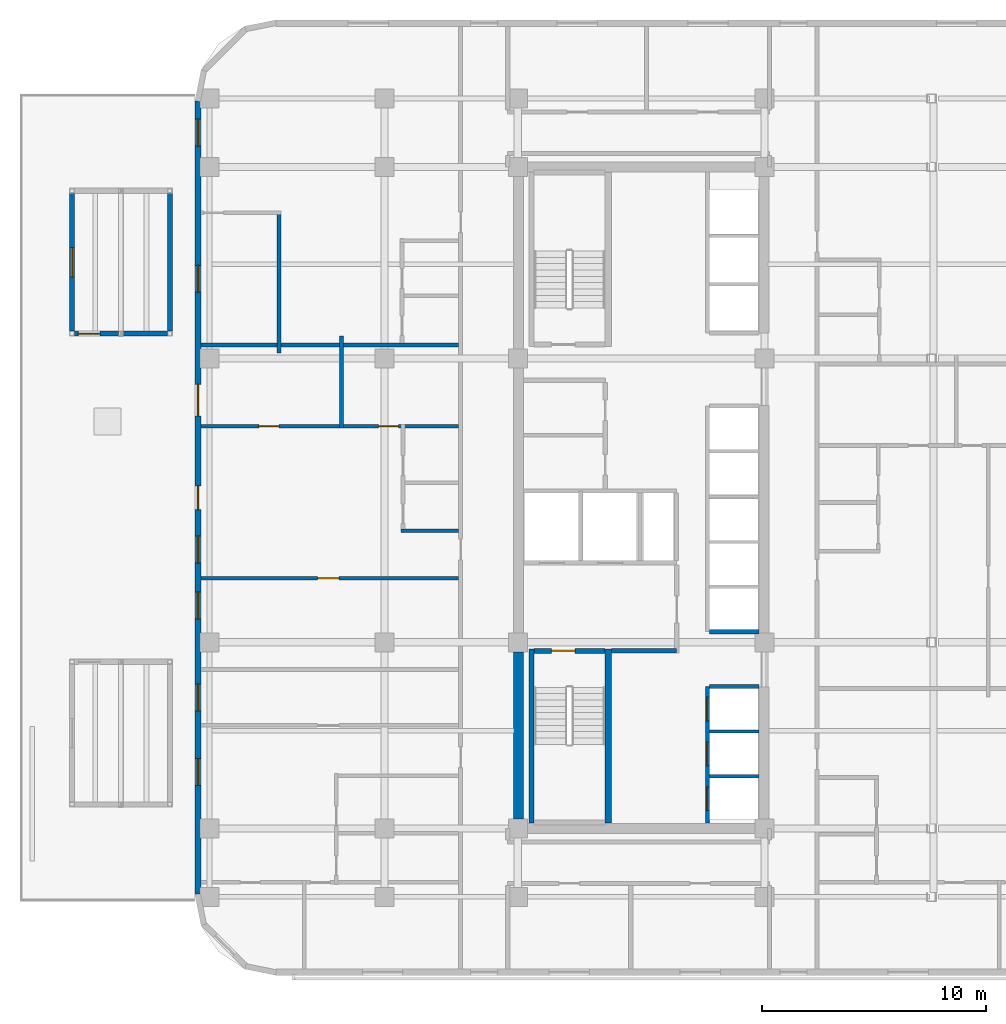
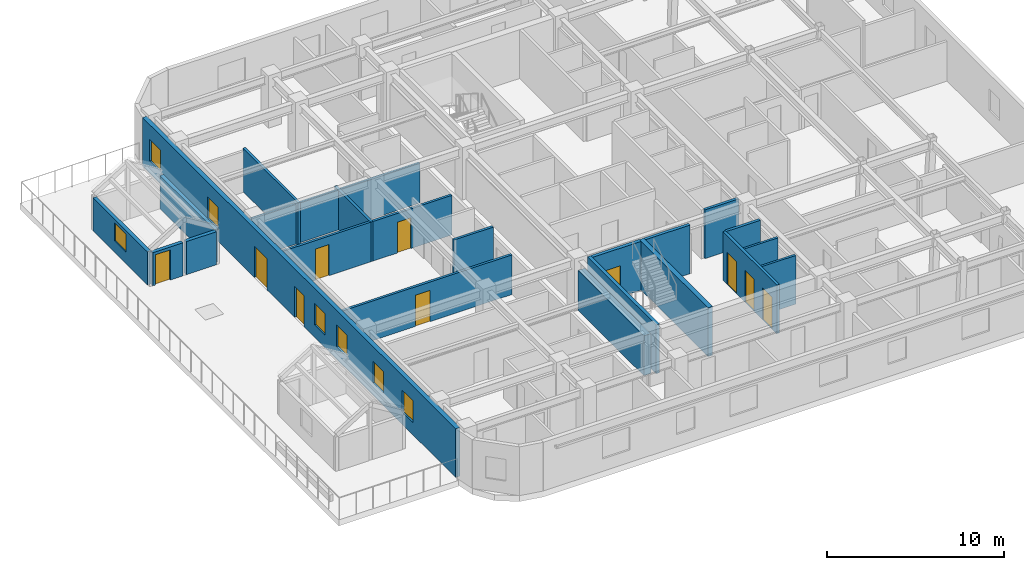
# One storey, part 11 of 19: 21 walls, 10 doors, 7 windows, 17 openings.
"""IFC4 building model written with IfcOpenShell, lengths in metres."""

from ifc_helpers import new_model, si_unit, direction, frame, frame_2d, origin, place, context, subcontext, project, spatial, rectangle, extrude, material, layer, layer_set, type_object, element, fill, save


model = new_model("IFC4")

# Units and contexts
model_context = context("Model", 3, precision=1e-05, world=origin(), true_north=direction((0.0, 1.0)))
body_context = subcontext(model_context, "Body", "Model", "MODEL_VIEW")
ifc_project = project(units=[si_unit("LENGTHUNIT", "METRE"), si_unit("AREAUNIT", "SQUARE_METRE"), si_unit("VOLUMEUNIT", "CUBIC_METRE"), si_unit("PLANEANGLEUNIT", "RADIAN"), si_unit("MASSUNIT", "GRAM", prefix="KILO")], contexts=[model_context])

# Site, building, storey
site_placement = place(None, origin())
site = spatial("IfcSite", under=ifc_project, at=site_placement, CompositionType="ELEMENT")
building_placement = place(site_placement, origin())
building = spatial("IfcBuilding", under=site, at=building_placement, Name="Ochreholt Gables", CompositionType="ELEMENT")
storey_placement = place(building_placement, frame((0.0, 0.0, 76.800048828125)))
storey = spatial("IfcBuildingStorey", under=building, at=storey_placement, Name="L19", CompositionType="ELEMENT", Elevation=76.800048828125)

# Wall
ifc_material_1 = material(Name="Concrete 60 MPa", Category="concrete")
ifc_layer_1 = layer(ifc_material_1, 0.449951171875, Name="Concrete 60 MPa")
ifc_layer_set_1 = layer_set([ifc_layer_1], Name="Concrete 60 MPa")
wall_type_1 = type_object("IfcWallType", Name="WALL-CSW-450", PredefinedType="SHEAR", material=ifc_layer_set_1)
wall_1_placement = place(storey_placement, frame((24.22509765625, 9.675048828125, 0.0), z_axis=(0.0, 0.0, 1.0), x_axis=(0.0, 1.0, 0.0)))
element("IfcWall", 1, at=wall_1_placement, inside=storey, type_object=wall_type_1, Name="L19 Core West Shear Wall WS", PredefinedType="SHEAR", context=body_context, shape_type="SweptSolid", body=[
    extrude(rectangle(XDim=7.449951171875, YDim=0.449951171875, at=frame_2d((3.72509765625, 0.0))), origin(), (0.0, 0.0, 1.0), 2.7490234375),
])

# Wall, openings, doors, windows
ifc_material_2 = material(Name="Precast concrete 40 MPa", Category="concrete")
ifc_layer_2 = layer(ifc_material_2, 0.280029296875, Name="Precast concrete 40 MPa")
ifc_layer_set_2 = layer_set([ifc_layer_2], Name="Precast concrete 40 MPa")
wall_type_2 = type_object("IfcWallType", Name="WALL-EXT-280", PredefinedType="SOLIDWALL", material=ifc_layer_set_2)
wall_2_placement = place(storey_placement, frame((9.93994140625, 41.679931640625, 0.0), z_axis=(0.0, 0.0, 1.0), x_axis=(0.0, -1.0, 0.0)))
wall_2 = element("IfcWall", 2, at=wall_2_placement, inside=storey, type_object=wall_type_2, Name="L19 West Exterior Wall", PredefinedType="SOLIDWALL", context=body_context, shape_type="SweptSolid", body=[
    extrude(rectangle(XDim=35.35986328125, YDim=0.280029296875, at=frame_2d((17.679931640625, 0.0))), origin(), (0.0, 0.0, 1.0), 3.35986328125),
])
opening_1_placement = place(wall_2_placement, frame((17.159912109375, 0.0, 0.0)))
opening_1 = element("IfcOpeningElement", 3, at=opening_1_placement, cuts=wall_2, Name="Opening D-TR1", PredefinedType="OPENING", context=body_context, shape_type="SweptSolid", body=[
    extrude(rectangle(XDim=1.050048828125, YDim=2.14990234375, at=frame_2d((0.52490234375, 1.074951171875))), frame((0.0, 0.14990234375, 0.0), z_axis=(0.0, -1.0, 0.0), x_axis=(1.0, 0.0, 0.0)), (0.0, 0.0, 1.0), 0.300048828125),
])
opening_2_placement = place(wall_2_placement, frame((12.6298828125, 0.0, 0.0)))
opening_2 = element("IfcOpeningElement", 4, at=opening_2_placement, cuts=wall_2, Name="Opening GT-3", PredefinedType="OPENING", context=body_context, shape_type="SweptSolid", body=[
    extrude(rectangle(XDim=1.39990234375, YDim=2.14990234375, at=frame_2d((0.699951171875, 1.074951171875))), frame((0.0, 0.14990234375, 0.0), z_axis=(0.0, -1.0, 0.0), x_axis=(1.0, 0.0, 0.0)), (0.0, 0.0, 1.0), 0.300048828125),
])
opening_3_placement = place(wall_2_placement, frame((29.31396484375, 0.0, 0.85009765625)))
opening_3 = element("IfcOpeningElement", 5, at=opening_3_placement, cuts=wall_2, Name="Opening WN-3", PredefinedType="OPENING", context=body_context, shape_type="SweptSolid", body=[
    extrude(rectangle(XDim=1.199951171875, YDim=1.5, at=frame_2d((0.60009765625, 0.75))), frame((0.0, 0.14990234375, 0.0), z_axis=(0.0, -1.0, 0.0), x_axis=(1.0, 0.0, 0.0)), (0.0, 0.0, 1.0), 0.300048828125),
])
opening_4_placement = place(wall_2_placement, frame((25.992919921875, 0.0, 0.85009765625)))
opening_4 = element("IfcOpeningElement", 6, at=opening_4_placement, cuts=wall_2, Name="Opening WN-3", PredefinedType="OPENING", context=body_context, shape_type="SweptSolid", body=[
    extrude(rectangle(XDim=1.199951171875, YDim=1.5, at=frame_2d((0.60009765625, 0.75))), frame((0.0, 0.14990234375, 0.0), z_axis=(0.0, -1.0, 0.0), x_axis=(1.0, 0.0, 0.0)), (0.0, 0.0, 1.0), 0.300048828125),
])
opening_5_placement = place(wall_2_placement, frame((21.881103515625, 0.0, 0.85009765625)))
opening_5 = element("IfcOpeningElement", 7, at=opening_5_placement, cuts=wall_2, Name="Opening WN-3", PredefinedType="OPENING", context=body_context, shape_type="SweptSolid", body=[
    extrude(rectangle(XDim=1.199951171875, YDim=1.5, at=frame_2d((0.60009765625, 0.75))), frame((0.0, 0.14990234375, 0.0), z_axis=(0.0, -1.0, 0.0), x_axis=(1.0, 0.0, 0.0)), (0.0, 0.0, 1.0), 0.300048828125),
])
opening_6_placement = place(wall_2_placement, frame((19.40087890625, 0.0, 0.85009765625)))
opening_6 = element("IfcOpeningElement", 8, at=opening_6_placement, cuts=wall_2, Name="Opening WN-3", PredefinedType="OPENING", context=body_context, shape_type="SweptSolid", body=[
    extrude(rectangle(XDim=1.199951171875, YDim=1.5, at=frame_2d((0.60009765625, 0.75))), frame((0.0, 0.14990234375, 0.0), z_axis=(0.0, -1.0, 0.0), x_axis=(1.0, 0.0, 0.0)), (0.0, 0.0, 1.0), 0.300048828125),
])
opening_7_placement = place(wall_2_placement, frame((7.319091796875, 0.0, 0.85009765625)))
opening_7 = element("IfcOpeningElement", 9, at=opening_7_placement, cuts=wall_2, Name="Opening WN-3", PredefinedType="OPENING", context=body_context, shape_type="SweptSolid", body=[
    extrude(rectangle(XDim=1.199951171875, YDim=1.5, at=frame_2d((0.60009765625, 0.75))), frame((0.0, 0.14990234375, 0.0), z_axis=(0.0, -1.0, 0.0), x_axis=(1.0, 0.0, 0.0)), (0.0, 0.0, 1.0), 0.300048828125),
])
opening_8_placement = place(wall_2_placement, frame((0.804931640625, 0.0, 0.85009765625)))
opening_8 = element("IfcOpeningElement", 10, at=opening_8_placement, cuts=wall_2, Name="Opening WN-3", PredefinedType="OPENING", context=body_context, shape_type="SweptSolid", body=[
    extrude(rectangle(XDim=1.199951171875, YDim=1.5, at=frame_2d((0.60009765625, 0.75))), frame((0.0, 0.14990234375, 0.0), z_axis=(0.0, -1.0, 0.0), x_axis=(1.0, 0.0, 0.0)), (0.0, 0.0, 1.0), 0.300048828125),
])
ifc_material_3 = material(Name="Thermally Broken Insulated Steel and Glass Door", Category="steel")
door_type_1 = type_object("IfcDoorType", Name="DR-EXT-TER1050", OperationType="NOTDEFINED", PredefinedType="DOOR", material=ifc_material_3)
door_1_placement = place(opening_1_placement, origin())
door_1 = element("IfcDoor", 11, at=door_1_placement, inside=storey, type_object=door_type_1, Name="L19 Outdoor Terrace Access Door TR-L19-W", OperationType="SINGLE_SWING_LEFT", OverallHeight=2.14990234375, OverallWidth=1.050048828125, PredefinedType="DOOR", context=body_context, shape_type="SweptSolid", body=[
    extrude(rectangle(XDim=1.050048828125, YDim=2.14990234375, at=frame_2d((0.52490234375, 1.074951171875))), frame((0.0, 0.02490234375, 0.0), z_axis=(0.0, -1.0, 0.0), x_axis=(1.0, 0.0, 0.0)), (0.0, 0.0, 1.0), 0.050048828125),
])
fill(opening_1, door_1)
door_type_2 = type_object("IfcDoorType", Name="GT-EXT-TER1400", OperationType="NOTDEFINED", PredefinedType="GATE", material=ifc_material_3)
door_2_placement = place(opening_2_placement, origin())
door_2 = element("IfcDoor", 12, at=door_2_placement, inside=storey, type_object=door_type_2, Name="L19 Garden Terrace Service Gate TR-L19-W", OperationType="SINGLE_SWING_LEFT", OverallHeight=2.14990234375, OverallWidth=1.39990234375, PredefinedType="GATE", context=body_context, shape_type="SweptSolid", body=[
    extrude(rectangle(XDim=1.39990234375, YDim=2.14990234375, at=frame_2d((0.699951171875, 1.074951171875))), frame((0.0, 0.02490234375, 0.0), z_axis=(0.0, -1.0, 0.0), x_axis=(1.0, 0.0, 0.0)), (0.0, 0.0, 1.0), 0.050048828125),
])
fill(opening_2, door_2)
ifc_material_4 = material(Name="Triple-Glazed Thermally Broken Aluminium Window", Category="aluminium")
window_type_1 = type_object("IfcWindowType", Name="WIN-RES-1200", PartitioningType="SINGLE_PANEL", PredefinedType="WINDOW", material=ifc_material_4)
window_1_placement = place(opening_3_placement, origin())
window_1 = element("IfcWindow", 13, at=window_1_placement, inside=storey, type_object=window_type_1, Name="L19 Window W-EXT-W-L19-1", OverallHeight=1.5, OverallWidth=1.199951171875, PartitioningType="SINGLE_PANEL", PredefinedType="WINDOW", context=body_context, shape_type="SweptSolid", body=[
    extrude(rectangle(XDim=1.199951171875, YDim=1.5, at=frame_2d((0.60009765625, 0.75))), frame((0.0, 0.030029296875, 0.0), z_axis=(0.0, -1.0, 0.0), x_axis=(1.0, 0.0, 0.0)), (0.0, 0.0, 1.0), 0.06005859375),
])
fill(opening_3, window_1)
window_2_placement = place(opening_4_placement, origin())
window_2 = element("IfcWindow", 14, at=window_2_placement, inside=storey, type_object=window_type_1, Name="L19 Window W-EXT-W-L19-2", OverallHeight=1.5, OverallWidth=1.199951171875, PartitioningType="SINGLE_PANEL", PredefinedType="WINDOW", context=body_context, shape_type="SweptSolid", body=[
    extrude(rectangle(XDim=1.199951171875, YDim=1.5, at=frame_2d((0.60009765625, 0.75))), frame((0.0, 0.030029296875, 0.0), z_axis=(0.0, -1.0, 0.0), x_axis=(1.0, 0.0, 0.0)), (0.0, 0.0, 1.0), 0.06005859375),
])
fill(opening_4, window_2)
window_3_placement = place(opening_5_placement, origin())
window_3 = element("IfcWindow", 15, at=window_3_placement, inside=storey, type_object=window_type_1, Name="L19 Window W-EXT-W-L19-3", OverallHeight=1.5, OverallWidth=1.199951171875, PartitioningType="SINGLE_PANEL", PredefinedType="WINDOW", context=body_context, shape_type="SweptSolid", body=[
    extrude(rectangle(XDim=1.199951171875, YDim=1.5, at=frame_2d((0.60009765625, 0.75))), frame((0.0, 0.030029296875, 0.0), z_axis=(0.0, -1.0, 0.0), x_axis=(1.0, 0.0, 0.0)), (0.0, 0.0, 1.0), 0.06005859375),
])
fill(opening_5, window_3)
window_4_placement = place(opening_6_placement, origin())
window_4 = element("IfcWindow", 16, at=window_4_placement, inside=storey, type_object=window_type_1, Name="L19 Window W-EXT-W-L19-4", OverallHeight=1.5, OverallWidth=1.199951171875, PartitioningType="SINGLE_PANEL", PredefinedType="WINDOW", context=body_context, shape_type="SweptSolid", body=[
    extrude(rectangle(XDim=1.199951171875, YDim=1.5, at=frame_2d((0.60009765625, 0.75))), frame((0.0, 0.030029296875, 0.0), z_axis=(0.0, -1.0, 0.0), x_axis=(1.0, 0.0, 0.0)), (0.0, 0.0, 1.0), 0.06005859375),
])
fill(opening_6, window_4)
window_5_placement = place(opening_7_placement, origin())
window_5 = element("IfcWindow", 17, at=window_5_placement, inside=storey, type_object=window_type_1, Name="L19 Window W-EXT-W-L19-5", OverallHeight=1.5, OverallWidth=1.199951171875, PartitioningType="SINGLE_PANEL", PredefinedType="WINDOW", context=body_context, shape_type="SweptSolid", body=[
    extrude(rectangle(XDim=1.199951171875, YDim=1.5, at=frame_2d((0.60009765625, 0.75))), frame((0.0, 0.030029296875, 0.0), z_axis=(0.0, -1.0, 0.0), x_axis=(1.0, 0.0, 0.0)), (0.0, 0.0, 1.0), 0.06005859375),
])
fill(opening_7, window_5)
window_6_placement = place(opening_8_placement, origin())
window_6 = element("IfcWindow", 18, at=window_6_placement, inside=storey, type_object=window_type_1, Name="L19 Window W-EXT-W-L19-6", OverallHeight=1.5, OverallWidth=1.199951171875, PartitioningType="SINGLE_PANEL", PredefinedType="WINDOW", context=body_context, shape_type="SweptSolid", body=[
    extrude(rectangle(XDim=1.199951171875, YDim=1.5, at=frame_2d((0.60009765625, 0.75))), frame((0.0, 0.030029296875, 0.0), z_axis=(0.0, -1.0, 0.0), x_axis=(1.0, 0.0, 0.0)), (0.0, 0.0, 1.0), 0.06005859375),
])
fill(opening_8, window_6)

# Wall, opening, door
ifc_layer_3 = layer(ifc_material_2, 0.22998046875, Name="Precast concrete 40 MPa")
ifc_layer_set_3 = layer_set([ifc_layer_3], Name="Precast concrete 40 MPa")
wall_type_3 = type_object("IfcWallType", Name="WALL-EXT-GAB", PredefinedType="SOLIDWALL", material=ifc_layer_set_3)
wall_3_placement = place(storey_placement, frame((4.422119140625, 31.31494140625, 0.0), z_axis=(0.0, 0.0, 1.0), x_axis=(1.0, 0.0, 0.0)))
wall_3 = element("IfcWall", 19, at=wall_3_placement, inside=storey, type_object=wall_type_3, Name="L19 Gable End Wall GB-19W2-S1", PredefinedType="SOLIDWALL", context=body_context, shape_type="SweptSolid", body=[
    extrude(rectangle(XDim=1.975830078125, YDim=0.22998046875, at=frame_2d((0.98779296875, 0.0))), origin(), (0.0, 0.0, 1.0), 2.28125),
])
opening_9_placement = place(wall_3_placement, frame((0.179931640625, 0.0, 0.0)))
opening_9 = element("IfcOpeningElement", 20, at=opening_9_placement, cuts=wall_3, Name="Opening D-GB1", PredefinedType="OPENING", context=body_context, shape_type="SweptSolid", body=[
    extrude(rectangle(XDim=0.9599609375, YDim=2.080078125, at=frame_2d((0.47998046875, 1.0400390625))), frame((0.0, 0.125, 0.0), z_axis=(0.0, -1.0, 0.0), x_axis=(1.0, 0.0, 0.0)), (0.0, 0.0, 1.0), 0.25),
])
door_type_3 = type_object("IfcDoorType", Name="DR-EXT-GAB960", OperationType="NOTDEFINED", PredefinedType="DOOR", material=ifc_material_3)
door_3_placement = place(opening_9_placement, origin())
door_3 = element("IfcDoor", 21, at=door_3_placement, inside=storey, type_object=door_type_3, Name="L19 Gable Pavilion Door GB-19W2", OperationType="SINGLE_SWING_LEFT", OverallHeight=2.080078125, OverallWidth=0.9599609375, PredefinedType="DOOR", context=body_context, shape_type="SweptSolid", body=[
    extrude(rectangle(XDim=0.9599609375, YDim=2.080078125, at=frame_2d((0.47998046875, 1.0400390625))), frame((0.0, 0.02490234375, 0.0), z_axis=(0.0, -1.0, 0.0), x_axis=(1.0, 0.0, 0.0)), (0.0, 0.0, 1.0), 0.050048828125),
])
fill(opening_9, door_3)

# Wall
wall_4_placement = place(storey_placement, frame((6.60205078125, 31.31494140625, 0.0), z_axis=(0.0, 0.0, 1.0), x_axis=(1.0, 0.0, 0.0)))
element("IfcWall", 22, at=wall_4_placement, inside=storey, type_object=wall_type_3, Name="L19 Gable End Wall GB-19W2-S2", PredefinedType="SOLIDWALL", context=body_context, shape_type="SweptSolid", body=[
    extrude(rectangle(XDim=1.975830078125, YDim=0.22998046875, at=frame_2d((0.98779296875, 0.0))), origin(), (0.0, 0.0, 1.0), 2.28125),
])

# Wall, opening, window
wall_5_placement = place(storey_placement, frame((4.31494140625, 31.422119140625, 0.0), z_axis=(0.0, 0.0, 1.0), x_axis=(0.0, 1.0, 0.0)))
wall_5 = element("IfcWall", 23, at=wall_5_placement, inside=storey, type_object=wall_type_3, Name="L19 Gable Eave Wall GB-19W2-W", PredefinedType="SOLIDWALL", context=body_context, shape_type="SweptSolid", body=[
    extrude(rectangle(XDim=6.15576171875, YDim=0.22998046875, at=frame_2d((3.077880859375, 0.0))), origin(), (0.0, 0.0, 1.0), 2.28125),
])
opening_10_placement = place(wall_5_placement, frame((2.427978515625, 0.0, 0.780029296875)))
opening_10 = element("IfcOpeningElement", 24, at=opening_10_placement, cuts=wall_5, Name="Opening WN-6", PredefinedType="OPENING", context=body_context, shape_type="SweptSolid", body=[
    extrude(rectangle(XDim=1.300048828125, YDim=1.25, at=frame_2d((0.64990234375, 0.625))), frame((0.0, 0.125, 0.0), z_axis=(0.0, -1.0, 0.0), x_axis=(1.0, 0.0, 0.0)), (0.0, 0.0, 1.0), 0.25),
])
window_type_2 = type_object("IfcWindowType", Name="WIN-GAB-1300", PartitioningType="SINGLE_PANEL", PredefinedType="WINDOW", material=ifc_material_4)
window_7_placement = place(opening_10_placement, origin())
window_7 = element("IfcWindow", 25, at=window_7_placement, inside=storey, type_object=window_type_2, Name="L19 Gable Pavilion Window GB-19W2", OverallHeight=1.25, OverallWidth=1.300048828125, PartitioningType="SINGLE_PANEL", PredefinedType="WINDOW", context=body_context, shape_type="SweptSolid", body=[
    extrude(rectangle(XDim=1.300048828125, YDim=1.25, at=frame_2d((0.64990234375, 0.625))), frame((0.0, 0.030029296875, 0.0), z_axis=(0.0, -1.0, 0.0), x_axis=(1.0, 0.0, 0.0)), (0.0, 0.0, 1.0), 0.06005859375),
])
fill(opening_10, window_7)

# Walls
wall_6_placement = place(storey_placement, frame((8.68505859375, 31.422119140625, 0.0), z_axis=(0.0, 0.0, 1.0), x_axis=(0.0, 1.0, 0.0)))
element("IfcWall", 26, at=wall_6_placement, inside=storey, type_object=wall_type_3, Name="L19 Gable Eave Wall GB-19W2-E", PredefinedType="SOLIDWALL", context=body_context, shape_type="SweptSolid", body=[
    extrude(rectangle(XDim=6.15576171875, YDim=0.22998046875, at=frame_2d((3.077880859375, 0.0))), origin(), (0.0, 0.0, 1.0), 2.28125),
])
ifc_material_5 = material(Name="Concrete 40 MPa", Category="concrete")
ifc_layer_4 = layer(ifc_material_5, 0.199951171875, Name="Concrete 40 MPa")
ifc_layer_set_4 = layer_set([ifc_layer_4], Name="Concrete 40 MPa")
wall_type_4 = type_object("IfcWallType", Name="WALL-INT-CF200", PredefinedType="STANDARD", material=ifc_layer_set_4)
wall_7_placement = place(storey_placement, frame((28.3798828125, 17.169921875, 0.0), z_axis=(0.0, 0.0, 1.0), x_axis=(1.0, 0.0, 0.0)))
element("IfcWall", 27, at=wall_7_placement, inside=storey, type_object=wall_type_4, Name="L19 Interior Wall WI-FFS-L19", PredefinedType="STANDARD", context=body_context, shape_type="SweptSolid", body=[
    extrude(rectangle(XDim=2.900146484375, YDim=0.199951171875, at=frame_2d((1.4501953125, 0.0))), origin(), (0.0, 0.0, 1.0), 3.35986328125),
])
ifc_material_6 = material(Name="Double-Stud Acoustic Demising Wall", Category="gypsum")
ifc_layer_5 = layer(ifc_material_6, 0.179931640625, Name="Double-Stud Acoustic Demising Wall")
ifc_layer_set_5 = layer_set([ifc_layer_5], Name="Double-Stud Acoustic Demising Wall")
wall_type_5 = type_object("IfcWallType", Name="WALL-INT-DM180", PredefinedType="PARTITIONING", material=ifc_layer_set_5)
wall_8_placement = place(storey_placement, frame((10.080078125, 30.81591796875, 0.0), z_axis=(0.0, 0.0, 1.0), x_axis=(1.0, 0.0, 0.0)))
element("IfcWall", 28, at=wall_8_placement, inside=storey, type_object=wall_type_5, Name="L19 Interior Wall WI-UDW3-L19", PredefinedType="PARTITIONING", context=body_context, shape_type="SweptSolid", body=[
    extrude(rectangle(XDim=11.47998046875, YDim=0.179931640625, at=frame_2d((5.739990234375, 0.0))), origin(), (0.0, 0.0, 1.0), 2.73095703125),
])
ifc_material_7 = material(Name="Moisture-Resistant Plumbing Chase Wall", Category="gypsum")
ifc_layer_6 = layer(ifc_material_7, 0.159912109375, Name="Moisture-Resistant Plumbing Chase Wall")
ifc_layer_set_6 = layer_set([ifc_layer_6], Name="Moisture-Resistant Plumbing Chase Wall")
wall_type_6 = type_object("IfcWallType", Name="WALL-INT-PL160", PredefinedType="PLUMBINGWALL", material=ifc_layer_set_6)
wall_9_placement = place(storey_placement, frame((19.0, 22.52587890625, 0.0), z_axis=(0.0, 0.0, 1.0), x_axis=(1.0, 0.0, 0.0)))
element("IfcWall", 29, at=wall_9_placement, inside=storey, type_object=wall_type_6, Name="L19 Interior Wall WU-L19W2-FYS", PredefinedType="PLUMBINGWALL", context=body_context, shape_type="SweptSolid", body=[
    extrude(rectangle(XDim=2.56005859375, YDim=0.159912109375, at=frame_2d((1.280029296875, 0.0))), origin(), (0.0, 0.0, 1.0), 3.35986328125),
])

# Wall, openings, doors
ifc_material_8 = material(Name="Gypsum Acoustic Stud Partition", Category="gypsum")
ifc_layer_7 = layer(ifc_material_8, 0.159912109375, Name="Gypsum Acoustic Stud Partition")
ifc_layer_set_7 = layer_set([ifc_layer_7], Name="Gypsum Acoustic Stud Partition")
wall_type_7 = type_object("IfcWallType", Name="WALL-INT-PT160", PredefinedType="PARTITIONING", material=ifc_layer_set_7)
wall_10_placement = place(storey_placement, frame((10.080078125, 27.176025390625, 0.0), z_axis=(0.0, 0.0, 1.0), x_axis=(1.0, 0.0, 0.0)))
wall_10 = element("IfcWall", 30, at=wall_10_placement, inside=storey, type_object=wall_type_7, Name="L19 Interior Wall WU-L19W2-MN", PredefinedType="PARTITIONING", context=body_context, shape_type="SweptSolid", body=[
    extrude(rectangle(XDim=11.47998046875, YDim=0.159912109375, at=frame_2d((5.739990234375, 0.0))), origin(), (0.0, 0.0, 1.0), 2.73095703125),
])
opening_11_placement = place(wall_10_placement, frame((7.91259765625, 0.0, 0.0)))
opening_11 = element("IfcOpeningElement", 31, at=opening_11_placement, cuts=wall_10, Name="Opening D-GN2", PredefinedType="OPENING", context=body_context, shape_type="SweptSolid", body=[
    extrude(rectangle(XDim=0.8798828125, YDim=2.1201171875, at=frame_2d((0.43994140625, 1.06005859375))), frame((0.0, 0.08984375, 0.0), z_axis=(0.0, -1.0, 0.0), x_axis=(1.0, 0.0, 0.0)), (0.0, 0.0, 1.0), 0.179931640625),
])
opening_12_placement = place(wall_10_placement, frame((2.56787109375, 0.0, 0.0)))
opening_12 = element("IfcOpeningElement", 32, at=opening_12_placement, cuts=wall_10, Name="Opening D-BD1", PredefinedType="OPENING", context=body_context, shape_type="SweptSolid", body=[
    extrude(rectangle(XDim=0.89990234375, YDim=2.139892578125, at=frame_2d((0.449951171875, 1.06982421875))), frame((0.0, 0.08984375, 0.0), z_axis=(0.0, -1.0, 0.0), x_axis=(1.0, 0.0, 0.0)), (0.0, 0.0, 1.0), 0.179931640625),
])
ifc_material_9 = material(Name="Engineered Oak Timber", Category="wood")
door_type_4 = type_object("IfcDoorType", Name="DR-INT-BED900", OperationType="NOTDEFINED", PredefinedType="DOOR", material=ifc_material_9)
door_4_placement = place(opening_12_placement, origin())
door_4 = element("IfcDoor", 33, at=door_4_placement, inside=storey, type_object=door_type_4, Name="L19 Door D-U-L19W2-BD1", OperationType="SINGLE_SWING_LEFT", OverallHeight=2.139892578125, OverallWidth=0.89990234375, PredefinedType="DOOR", context=body_context, shape_type="SweptSolid", body=[
    extrude(rectangle(XDim=0.89990234375, YDim=2.139892578125, at=frame_2d((0.449951171875, 1.06982421875))), frame((0.0, 0.02490234375, 0.0), z_axis=(0.0, -1.0, 0.0), x_axis=(1.0, 0.0, 0.0)), (0.0, 0.0, 1.0), 0.050048828125),
])
fill(opening_12, door_4)
door_type_5 = type_object("IfcDoorType", Name="DR-INT-GEN880", OperationType="NOTDEFINED", PredefinedType="DOOR", material=ifc_material_9)
door_5_placement = place(opening_11_placement, origin())
door_5 = element("IfcDoor", 34, at=door_5_placement, inside=storey, type_object=door_type_5, Name="L19 Door D-U-L19W2-STD", OperationType="SINGLE_SWING_RIGHT", OverallHeight=2.1201171875, OverallWidth=0.8798828125, PredefinedType="DOOR", context=body_context, shape_type="SweptSolid", body=[
    extrude(rectangle(XDim=0.8798828125, YDim=2.1201171875, at=frame_2d((0.43994140625, 1.06005859375))), frame((0.0, 0.02490234375, 0.0), z_axis=(0.0, -1.0, 0.0), x_axis=(1.0, 0.0, 0.0)), (0.0, 0.0, 1.0), 0.050048828125),
])
fill(opening_11, door_5)

# Wall, opening, door
wall_11_placement = place(storey_placement, frame((10.080078125, 20.407958984375, 0.0), z_axis=(0.0, 0.0, 1.0), x_axis=(1.0, 0.0, 0.0)))
wall_11 = element("IfcWall", 35, at=wall_11_placement, inside=storey, type_object=wall_type_7, Name="L19 Interior Wall WU-L19W2-DNW", PredefinedType="PARTITIONING", context=body_context, shape_type="SweptSolid", body=[
    extrude(rectangle(XDim=11.47998046875, YDim=0.159912109375, at=frame_2d((5.739990234375, 0.0))), origin(), (0.0, 0.0, 1.0), 2.73095703125),
])
opening_13_placement = place(wall_11_placement, frame((5.195068359375, 0.0, 0.0)))
opening_13 = element("IfcOpeningElement", 36, at=opening_13_placement, cuts=wall_11, Name="Opening D-GN1", PredefinedType="OPENING", context=body_context, shape_type="SweptSolid", body=[
    extrude(rectangle(XDim=0.949951171875, YDim=2.14990234375, at=frame_2d((0.47509765625, 1.074951171875))), frame((0.0, 0.08984375, 0.0), z_axis=(0.0, -1.0, 0.0), x_axis=(1.0, 0.0, 0.0)), (0.0, 0.0, 1.0), 0.179931640625),
])
door_type_6 = type_object("IfcDoorType", Name="DR-INT-GEN950", OperationType="NOTDEFINED", PredefinedType="DOOR", material=ifc_material_9)
door_6_placement = place(opening_13_placement, origin())
door_6 = element("IfcDoor", 37, at=door_6_placement, inside=storey, type_object=door_type_6, Name="L19 Door D-U-L19W2-DIN", OperationType="SINGLE_SWING_LEFT", OverallHeight=2.14990234375, OverallWidth=0.949951171875, PredefinedType="DOOR", context=body_context, shape_type="SweptSolid", body=[
    extrude(rectangle(XDim=0.949951171875, YDim=2.14990234375, at=frame_2d((0.47509765625, 1.074951171875))), frame((0.0, 0.02490234375, 0.0), z_axis=(0.0, -1.0, 0.0), x_axis=(1.0, 0.0, 0.0)), (0.0, 0.0, 1.0), 0.050048828125),
])
fill(opening_13, door_6)

# Walls
wall_12_placement = place(storey_placement, frame((16.33544921875, 27.095947265625, 0.0), z_axis=(0.0, 0.0, 1.0), x_axis=(0.0, 1.0, 0.0)))
element("IfcWall", 38, at=wall_12_placement, inside=storey, type_object=wall_type_7, Name="L19 Interior Wall WU-L19W2-BSD", PredefinedType="PARTITIONING", context=body_context, shape_type="SweptSolid", body=[
    extrude(rectangle(XDim=4.110107421875, YDim=0.159912109375, at=frame_2d((2.05517578125, 0.0))), origin(), (0.0, 0.0, 1.0), 2.73095703125),
])
wall_13_placement = place(storey_placement, frame((13.550048828125, 30.4560546875, 0.0), z_axis=(0.0, 0.0, 1.0), x_axis=(0.0, 1.0, 0.0)))
element("IfcWall", 39, at=wall_13_placement, inside=storey, type_object=wall_type_7, Name="L19 Interior Wall WU-L19W3-STW", PredefinedType="PARTITIONING", context=body_context, shape_type="SweptSolid", body=[
    extrude(rectangle(XDim=6.25, YDim=0.159912109375, at=frame_2d((3.125, 0.0))), origin(), (0.0, 0.0, 1.0), 2.988037109375),
])
ifc_material_10 = material(Name="Gypsum Shaftliner and Steel Stud", Category="steel")
ifc_layer_8 = layer(ifc_material_10, 0.14990234375, Name="Gypsum Shaftliner and Steel Stud")
ifc_layer_set_8 = layer_set([ifc_layer_8], Name="Gypsum Shaftliner and Steel Stud")
wall_type_8 = type_object("IfcWallType", Name="WALL-INT-SH150", PredefinedType="STANDARD", material=ifc_layer_set_8)
for number, where, z_axis, x_axis, name in (
    (40, (32.739990234375, 11.570068359375, 0.0), (0.0, 0.0, 1.0), (1.0, 0.0, 0.0), "L19 Interior Wall WI-LFL-D1-L19"),
    (41, (32.739990234375, 13.570068359375, 0.0), (0.0, 0.0, 1.0), (1.0, 0.0, 0.0), "L19 Interior Wall WI-LFL-D2-L19"),
):
    element("IfcWall", number, at=place(storey_placement, frame(where, z_axis=z_axis, x_axis=x_axis)), inside=storey, type_object=wall_type_8, Name=name, PredefinedType="STANDARD", context=body_context, shape_type="SweptSolid", body=[
        extrude(rectangle(XDim=2.2099609375, YDim=0.14990234375, at=frame_2d((1.10498046875, 0.0))), origin(), (0.0, 0.0, 1.0), 3.35986328125),
    ])

# Wall, openings, doors
ifc_layer_9 = layer(ifc_material_10, 0.179931640625, Name="Gypsum Shaftliner and Steel Stud")
ifc_layer_set_9 = layer_set([ifc_layer_9], Name="Gypsum Shaftliner and Steel Stud")
wall_type_9 = type_object("IfcWallType", Name="WALL-INT-SH180", PredefinedType="STANDARD", material=ifc_layer_set_9)
wall_14_placement = place(storey_placement, frame((32.64990234375, 9.5, 0.0), z_axis=(0.0, 0.0, 1.0), x_axis=(0.0, 1.0, 0.0)))
wall_14 = element("IfcWall", 42, at=wall_14_placement, inside=storey, type_object=wall_type_9, Name="L19 Interior Wall WI-LFL-FR-L19", PredefinedType="STANDARD", context=body_context, shape_type="SweptSolid", body=[
    extrude(rectangle(XDim=6.080078125, YDim=0.179931640625, at=frame_2d((3.0400390625, 0.0))), origin(), (0.0, 0.0, 1.0), 3.35986328125),
])
opening_14_placement = place(wall_14_placement, frame((0.550048828125, 0.0, 0.0)))
opening_14 = element("IfcOpeningElement", 43, at=opening_14_placement, cuts=wall_14, Name="Opening LD-PX", PredefinedType="OPENING", context=body_context, shape_type="SweptSolid", body=[
    extrude(rectangle(XDim=1.050048828125, YDim=2.199951171875, at=frame_2d((0.52490234375, 1.10009765625))), frame((0.0, 0.099853515625, 0.0), z_axis=(0.0, -1.0, 0.0), x_axis=(1.0, 0.0, 0.0)), (0.0, 0.0, 1.0), 0.199951171875),
])
opening_15_placement = place(wall_14_placement, frame((2.550048828125, 0.0, 0.0)))
opening_15 = element("IfcOpeningElement", 44, at=opening_15_placement, cuts=wall_14, Name="Opening LD-PX", PredefinedType="OPENING", context=body_context, shape_type="SweptSolid", body=[
    extrude(rectangle(XDim=1.050048828125, YDim=2.199951171875, at=frame_2d((0.52490234375, 1.10009765625))), frame((0.0, 0.099853515625, 0.0), z_axis=(0.0, -1.0, 0.0), x_axis=(1.0, 0.0, 0.0)), (0.0, 0.0, 1.0), 0.199951171875),
])
opening_16_placement = place(wall_14_placement, frame((4.550048828125, 0.0, 0.0)))
opening_16 = element("IfcOpeningElement", 45, at=opening_16_placement, cuts=wall_14, Name="Opening LD-PX", PredefinedType="OPENING", context=body_context, shape_type="SweptSolid", body=[
    extrude(rectangle(XDim=1.050048828125, YDim=2.199951171875, at=frame_2d((0.52490234375, 1.10009765625))), frame((0.0, 0.099853515625, 0.0), z_axis=(0.0, -1.0, 0.0), x_axis=(1.0, 0.0, 0.0)), (0.0, 0.0, 1.0), 0.199951171875),
])
ifc_material_11 = material(Name="Stainless Steel", Category="steel")
door_type_7 = type_object("IfcDoorType", Name="DR-LFT-PX1050", OperationType="NOTDEFINED", PredefinedType="DOOR", material=ifc_material_11)
door_7_placement = place(opening_14_placement, origin())
door_7 = element("IfcDoor", 46, at=door_7_placement, inside=storey, type_object=door_type_7, Name="L19 Door LD-L1-L19", OperationType="SLIDING_TO_LEFT", OverallHeight=2.199951171875, OverallWidth=1.050048828125, PredefinedType="DOOR", context=body_context, shape_type="SweptSolid", body=[
    extrude(rectangle(XDim=1.050048828125, YDim=2.199951171875, at=frame_2d((0.52490234375, 1.10009765625))), frame((0.0, 0.02490234375, 0.0), z_axis=(0.0, -1.0, 0.0), x_axis=(1.0, 0.0, 0.0)), (0.0, 0.0, 1.0), 0.050048828125),
])
fill(opening_14, door_7)
door_8_placement = place(opening_15_placement, origin())
door_8 = element("IfcDoor", 47, at=door_8_placement, inside=storey, type_object=door_type_7, Name="L19 Door LD-L2-L19", OperationType="SLIDING_TO_LEFT", OverallHeight=2.199951171875, OverallWidth=1.050048828125, PredefinedType="DOOR", context=body_context, shape_type="SweptSolid", body=[
    extrude(rectangle(XDim=1.050048828125, YDim=2.199951171875, at=frame_2d((0.52490234375, 1.10009765625))), frame((0.0, 0.02490234375, 0.0), z_axis=(0.0, -1.0, 0.0), x_axis=(1.0, 0.0, 0.0)), (0.0, 0.0, 1.0), 0.050048828125),
])
fill(opening_15, door_8)
door_9_placement = place(opening_16_placement, origin())
door_9 = element("IfcDoor", 48, at=door_9_placement, inside=storey, type_object=door_type_7, Name="L19 Door LD-L3-L19", OperationType="SLIDING_TO_LEFT", OverallHeight=2.199951171875, OverallWidth=1.050048828125, PredefinedType="DOOR", context=body_context, shape_type="SweptSolid", body=[
    extrude(rectangle(XDim=1.050048828125, YDim=2.199951171875, at=frame_2d((0.52490234375, 1.10009765625))), frame((0.0, 0.02490234375, 0.0), z_axis=(0.0, -1.0, 0.0), x_axis=(1.0, 0.0, 0.0)), (0.0, 0.0, 1.0), 0.050048828125),
])
fill(opening_16, door_9)

# Walls
for number, where, z_axis, x_axis, name in (
    (49, (32.739990234375, 15.580078125, 0.0), (0.0, 0.0, 1.0), (1.0, 0.0, 0.0), "L19 Interior Wall WI-LFL-N-L19"),
    (50, (32.739990234375, 18.02001953125, 0.0), (0.0, 0.0, 1.0), (1.0, 0.0, 0.0), "L19 Interior Wall WI-LFHE-S-L19"),
):
    element("IfcWall", number, at=place(storey_placement, frame(where, z_axis=z_axis, x_axis=x_axis)), inside=storey, type_object=wall_type_9, Name=name, PredefinedType="STANDARD", context=body_context, shape_type="SweptSolid", body=[
        extrude(rectangle(XDim=2.2099609375, YDim=0.179931640625, at=frame_2d((1.10498046875, 0.0))), origin(), (0.0, 0.0, 1.0), 3.35986328125),
    ])
ifc_layer_10 = layer(ifc_material_1, 0.300048828125, Name="Concrete 60 MPa")
ifc_layer_set_10 = layer_set([ifc_layer_10], Name="Concrete 60 MPa")
wall_type_10 = type_object("IfcWallType", Name="WALL-SPN-300", PredefinedType="SHEAR", material=ifc_layer_set_10)
wall_15_placement = place(storey_placement, frame((28.22998046875, 9.5, 0.0), z_axis=(0.0, 0.0, 1.0), x_axis=(0.0, 1.0, 0.0)))
element("IfcWall", 51, at=wall_15_placement, inside=storey, type_object=wall_type_10, Name="L19 Core South Spine Shear Wall", PredefinedType="SHEAR", context=body_context, shape_type="SweptSolid", body=[
    extrude(rectangle(XDim=7.760009765625, YDim=0.300048828125, at=frame_2d((3.8798828125, 0.0))), origin(), (0.0, 0.0, 1.0), 3.35986328125),
])
ifc_material_12 = material(Name="Concrete 50 MPa", Category="concrete")
ifc_layer_11 = layer(ifc_material_12, 0.219970703125, Name="Concrete 50 MPa")
ifc_layer_set_11 = layer_set([ifc_layer_11], Name="Concrete 50 MPa")
wall_type_11 = type_object("IfcWallType", Name="WALL-STW-220", PredefinedType="SHEAR", material=ifc_layer_set_11)
wall_16_placement = place(storey_placement, frame((24.81005859375, 9.5, 0.0), z_axis=(0.0, 0.0, 1.0), x_axis=(0.0, 1.0, 0.0)))
element("IfcWall", 52, at=wall_16_placement, inside=storey, type_object=wall_type_11, Name="L19 Exit Stair 1 West Wall", PredefinedType="SHEAR", context=body_context, shape_type="SweptSolid", body=[
    extrude(rectangle(XDim=7.760009765625, YDim=0.219970703125, at=frame_2d((3.8798828125, 0.0))), origin(), (0.0, 0.0, 1.0), 3.35986328125),
])

# Wall, opening, door
wall_17_placement = place(storey_placement, frame((24.919921875, 17.169921875, 0.0), z_axis=(0.0, 0.0, 1.0), x_axis=(1.0, 0.0, 0.0)))
wall_17 = element("IfcWall", 53, at=wall_17_placement, inside=storey, type_object=wall_type_11, Name="L19 Exit Stair 1 North Wall", PredefinedType="SHEAR", context=body_context, shape_type="SweptSolid", body=[
    extrude(rectangle(XDim=3.16015625, YDim=0.219970703125, at=frame_2d((1.580078125, 0.0))), origin(), (0.0, 0.0, 1.0), 3.35986328125),
])
opening_17_placement = place(wall_17_placement, frame((0.780029296875, 0.0, 0.0)))
opening_17 = element("IfcOpeningElement", 54, at=opening_17_placement, cuts=wall_17, Name="Opening D-STC", PredefinedType="OPENING", context=body_context, shape_type="SweptSolid", body=[
    extrude(rectangle(XDim=1.050048828125, YDim=2.14990234375, at=frame_2d((0.52490234375, 1.074951171875))), frame((0.0, 0.119873046875, 0.0), z_axis=(0.0, -1.0, 0.0), x_axis=(1.0, 0.0, 0.0)), (0.0, 0.0, 1.0), 0.239990234375),
])
ifc_material_13 = material(Name="Hollow Metal Steel", Category="steel")
door_type_8 = type_object("IfcDoorType", Name="DR-INT-ST1050", OperationType="NOTDEFINED", PredefinedType="DOOR", material=ifc_material_13)
door_10_placement = place(opening_17_placement, frame((1.050048828125, 0.0, 0.0), z_axis=(0.0, 0.0, 1.0), x_axis=(-1.0, 0.0, 0.0)))
door_10 = element("IfcDoor", 55, at=door_10_placement, inside=storey, type_object=door_type_8, Name="L19 Door D-ST1-L19", OperationType="SINGLE_SWING_LEFT", OverallHeight=2.14990234375, OverallWidth=1.050048828125, PredefinedType="DOOR", context=body_context, shape_type="SweptSolid", body=[
    extrude(rectangle(XDim=1.050048828125, YDim=2.14990234375, at=frame_2d((0.52490234375, 1.074951171875))), frame((0.0, 0.02490234375, 0.0), z_axis=(0.0, -1.0, 0.0), x_axis=(1.0, 0.0, 0.0)), (0.0, 0.0, 1.0), 0.050048828125),
])
fill(opening_17, door_10)

save(model, "model.ifc")
